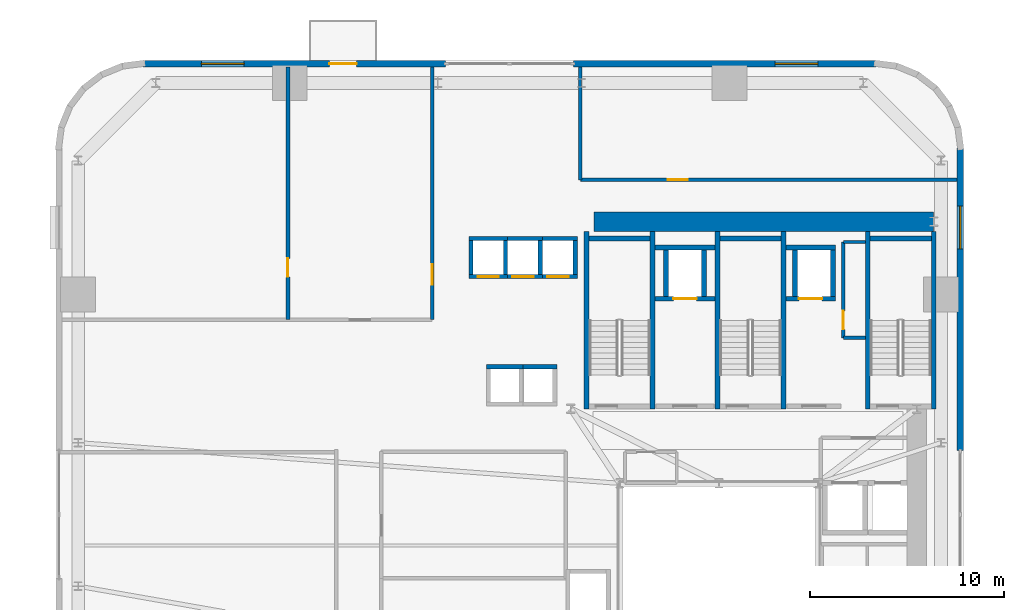
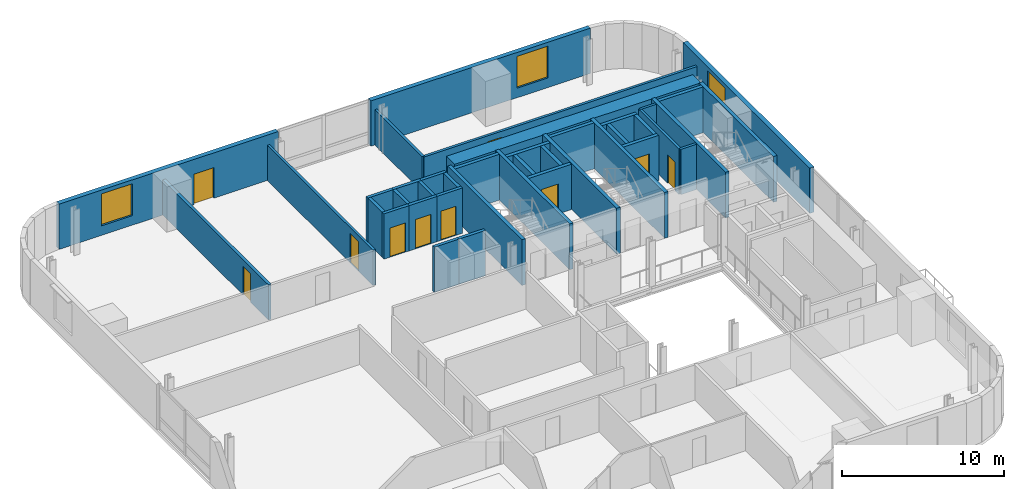
# One storey, part 8 of 13: 40 walls, 10 doors, 3 windows, 13 openings.
"""IFC4 building model written with IfcOpenShell, lengths in metres."""

from ifc_helpers import new_model, si_unit, direction, frame, frame_2d, origin, place, context, subcontext, project, spatial, rectangle, extrude, source, transform, mapped, material, layer, layer_set, type_object, element, fill, save


model = new_model("IFC4")

# Units and contexts
model_context = context("Model", 3, precision=1e-05, world=origin(), true_north=direction((0.0, 1.0)))
body_context = subcontext(model_context, "Body", "Model", "MODEL_VIEW")
ifc_project = project(units=[si_unit("LENGTHUNIT", "METRE"), si_unit("AREAUNIT", "SQUARE_METRE"), si_unit("VOLUMEUNIT", "CUBIC_METRE"), si_unit("PLANEANGLEUNIT", "RADIAN"), si_unit("MASSUNIT", "GRAM", prefix="KILO")], contexts=[model_context])

# Site, building, storey
site_placement = place(None, origin())
site = spatial("IfcSite", under=ifc_project, at=site_placement, CompositionType="ELEMENT")
building_placement = place(site_placement, origin())
building = spatial("IfcBuilding", under=site, at=building_placement, Name="Vardaveli Station Tower", CompositionType="ELEMENT")
storey_placement = place(building_placement, frame((0.0, 0.0, 75.050048828125)))
storey = spatial("IfcBuildingStorey", under=building, at=storey_placement, Name="L19", CompositionType="ELEMENT", Elevation=75.050048828125)

# Wall
ifc_material_1 = material(Name="Concrete C60/75", Category="concrete")
ifc_layer_1 = layer(ifc_material_1, 1.0, Name="Concrete C60/75")
ifc_layer_set_1 = layer_set([ifc_layer_1], Name="Concrete C60/75")
wall_type_1 = type_object("IfcWallType", Name="WAL-CORE-1000", PredefinedType="SHEAR", material=ifc_layer_set_1)
shared_shape_1 = source(origin(), body_context, "Body", "SweptSolid", [
    extrude(rectangle(XDim=17.52001953125, YDim=1.0, at=frame_2d((8.760009765625, 0.0))), origin(), (0.0, 0.0, 1.0), 3.409912109375),
])
wall_1_placement = place(storey_placement, frame((29.85009765625, 40.300048828125, 0.0), z_axis=(0.0, 0.0, 1.0), x_axis=(1.0, 0.0, 0.0)))
element("IfcWall", 1, at=wall_1_placement, inside=storey, type_object=wall_type_1, Name="SW-L19-NORTH", PredefinedType="SHEAR", context=body_context, shape_type="MappedRepresentation", body=[
    mapped(shared_shape_1, transform((0.0, 0.0, 0.0), scale=1.0)),
])

# Wall, opening, window
ifc_material_2 = material(Name="Precast concrete C45/55", Category="concrete")
ifc_layer_2 = layer(ifc_material_2, 0.320068359375, Name="Precast concrete C45/55")
ifc_layer_set_2 = layer_set([ifc_layer_2], Name="Precast concrete C45/55")
wall_type_2 = type_object("IfcWallType", Name="WAL-EXT-STONE-320", PredefinedType="SOLIDWALL", material=ifc_layer_set_2)
shared_shape_2 = source(origin(), body_context, "Body", "SweptSolid", [
    extrude(rectangle(XDim=15.599853515625, YDim=0.320068359375, at=frame_2d((7.7998046875, 0.0))), origin(), (0.0, 0.0, 1.0), 3.409912109375),
])
wall_2_placement = place(storey_placement, frame((44.39990234375, 48.43994140625, 0.0), z_axis=(0.0, 0.0, 1.0), x_axis=(-1.0, 0.0, 0.0)))
wall_2 = element("IfcWall", 2, at=wall_2_placement, inside=storey, type_object=wall_type_2, Name="EW-L19-N1", PredefinedType="SOLIDWALL", context=body_context, shape_type="MappedRepresentation", body=[
    mapped(shared_shape_2, transform((0.0, 0.0, 0.0), scale=1.0)),
])
shared_shape_3 = source(origin(), body_context, "Body", "SweptSolid", [
    extrude(rectangle(XDim=2.199951171875, YDim=2.39990234375, at=frame_2d((1.10009765625, 1.199951171875))), frame((0.0, 0.169921875, 0.0), z_axis=(0.0, -1.0, 0.0), x_axis=(1.0, 0.0, 0.0)), (0.0, 0.0, 1.0), 0.340087890625),
])
opening_1_placement = place(wall_2_placement, frame((3.0048828125, 0.0, 0.719970703125)))
opening_1 = element("IfcOpeningElement", 3, at=opening_1_placement, cuts=wall_2, Name="Opening W-03", PredefinedType="OPENING", context=body_context, shape_type="MappedRepresentation", body=[
    mapped(shared_shape_3, transform((0.0, 0.0, 0.0), scale=1.0)),
])
ifc_material_3 = material(Name="Low-E solar-control glass", Category="glass")
window_type = type_object("IfcWindowType", Name="WIN-LOG-2200x2400", PartitioningType="SINGLE_PANEL", PredefinedType="WINDOW", material=ifc_material_3)
shared_shape_4 = source(origin(), body_context, "Body", "SweptSolid", [
    extrude(rectangle(XDim=2.199951171875, YDim=2.39990234375, at=frame_2d((1.10009765625, 1.199951171875))), frame((0.0, 0.030029296875, 0.0), z_axis=(0.0, -1.0, 0.0), x_axis=(1.0, 0.0, 0.0)), (0.0, 0.0, 1.0), 0.06005859375),
])
window_1_placement = place(opening_1_placement, origin())
window_1 = element("IfcWindow", 4, at=window_1_placement, inside=storey, type_object=window_type, Name="WN-L19-N1", OverallHeight=2.39990234375, OverallWidth=2.199951171875, PartitioningType="SINGLE_PANEL", PredefinedType="WINDOW", context=body_context, shape_type="MappedRepresentation", body=[
    mapped(shared_shape_4, transform((0.0, 0.0, 0.0), scale=1.0)),
])
fill(opening_1, window_1)

# Wall, openings, door, window
wall_3_placement = place(storey_placement, frame((22.199951171875, 48.43994140625, 0.0), z_axis=(0.0, 0.0, 1.0), x_axis=(-1.0, 0.0, 0.0)))
wall_3 = element("IfcWall", 5, at=wall_3_placement, inside=storey, type_object=wall_type_2, Name="EW-L19-N2", PredefinedType="SOLIDWALL", context=body_context, shape_type="MappedRepresentation", body=[
    mapped(shared_shape_2, transform((0.0, 0.0, 0.0), scale=1.0)),
])
shared_shape_5 = source(origin(), body_context, "Body", "SweptSolid", [
    extrude(rectangle(XDim=1.39990234375, YDim=2.300048828125, at=frame_2d((0.699951171875, 1.14990234375))), frame((0.0, 0.169921875, 0.0), z_axis=(0.0, -1.0, 0.0), x_axis=(1.0, 0.0, 0.0)), (0.0, 0.0, 1.0), 0.340087890625),
])
opening_2_placement = place(wall_3_placement, frame((4.589599609375, 0.0, 0.0)))
opening_2 = element("IfcOpeningElement", 6, at=opening_2_placement, cuts=wall_3, Name="Opening D-09", PredefinedType="OPENING", context=body_context, shape_type="MappedRepresentation", body=[
    mapped(shared_shape_5, transform((0.0, 0.0, 0.0), scale=1.0)),
])
opening_3_placement = place(wall_3_placement, frame((10.39501953125, 0.0, 0.719970703125)))
opening_3 = element("IfcOpeningElement", 7, at=opening_3_placement, cuts=wall_3, Name="Opening W-03", PredefinedType="OPENING", context=body_context, shape_type="MappedRepresentation", body=[
    mapped(shared_shape_3, transform((0.0, 0.0, 0.0), scale=1.0)),
])
ifc_material_4 = material(Name="Thermally broken aluminium glass", Category="aluminium")
door_type_1 = type_object("IfcDoorType", Name="DR-LOG-1400x2300", OperationType="DOUBLE_DOOR_SLIDING", PredefinedType="DOOR", material=ifc_material_4)
shared_shape_6 = source(origin(), body_context, "Body", "SweptSolid", [
    extrude(rectangle(XDim=1.39990234375, YDim=2.300048828125, at=frame_2d((0.699951171875, 1.14990234375))), frame((0.0, 0.02490234375, 0.0), z_axis=(0.0, -1.0, 0.0), x_axis=(1.0, 0.0, 0.0)), (0.0, 0.0, 1.0), 0.050048828125),
])
door_1_placement = place(opening_2_placement, frame((1.39990234375, 0.0, 0.0), z_axis=(0.0, 0.0, 1.0), x_axis=(-1.0, 0.0, 0.0)))
door_1 = element("IfcDoor", 8, at=door_1_placement, inside=storey, type_object=door_type_1, Name="DLG-L19-N", OperationType="DOUBLE_DOOR_SLIDING", OverallHeight=2.300048828125, OverallWidth=1.39990234375, PredefinedType="DOOR", context=body_context, shape_type="MappedRepresentation", body=[
    mapped(shared_shape_6, transform((0.0, 0.0, 0.0), scale=1.0)),
])
fill(opening_2, door_1)
window_2_placement = place(opening_3_placement, origin())
window_2 = element("IfcWindow", 9, at=window_2_placement, inside=storey, type_object=window_type, Name="WN-L19-N2", OverallHeight=2.39990234375, OverallWidth=2.199951171875, PartitioningType="SINGLE_PANEL", PredefinedType="WINDOW", context=body_context, shape_type="MappedRepresentation", body=[
    mapped(shared_shape_4, transform((0.0, 0.0, 0.0), scale=1.0)),
])
fill(opening_3, window_2)

# Wall, opening, window
shared_shape_7 = source(origin(), body_context, "Body", "SweptSolid", [
    extrude(rectangle(XDim=15.60009765625, YDim=0.320068359375, at=frame_2d((7.800048828125, 0.0))), origin(), (0.0, 0.0, 1.0), 3.409912109375),
])
wall_4_placement = place(storey_placement, frame((48.739990234375, 28.5, 0.0), z_axis=(0.0, 0.0, 1.0), x_axis=(0.0, 1.0, 0.0)))
wall_4 = element("IfcWall", 10, at=wall_4_placement, inside=storey, type_object=wall_type_2, Name="EW-L19-E2", PredefinedType="SOLIDWALL", context=body_context, shape_type="MappedRepresentation", body=[
    mapped(shared_shape_7, transform((0.0, 0.0, 0.0), scale=1.0)),
])
opening_4_placement = place(wall_4_placement, frame((10.39501953125, 0.0, 0.719970703125)))
opening_4 = element("IfcOpeningElement", 11, at=opening_4_placement, cuts=wall_4, Name="Opening W-03", PredefinedType="OPENING", context=body_context, shape_type="MappedRepresentation", body=[
    mapped(shared_shape_3, transform((0.0, 0.0, 0.0), scale=1.0)),
])
window_3_placement = place(opening_4_placement, origin())
window_3 = element("IfcWindow", 12, at=window_3_placement, inside=storey, type_object=window_type, Name="WN-L19-E2", OverallHeight=2.39990234375, OverallWidth=2.199951171875, PartitioningType="SINGLE_PANEL", PredefinedType="WINDOW", context=body_context, shape_type="MappedRepresentation", body=[
    mapped(shared_shape_4, transform((0.0, 0.0, 0.0), scale=1.0)),
])
fill(opening_4, window_3)

# Walls
ifc_material_5 = material(Name="Concrete C40/50", Category="concrete")
ifc_layer_3 = layer(ifc_material_5, 0.25, Name="Concrete C40/50")
ifc_layer_set_3 = layer_set([ifc_layer_3], Name="Concrete C40/50")
wall_type_3 = type_object("IfcWallType", Name="WAL-SHAFT-250", PredefinedType="SOLIDWALL", material=ifc_layer_set_3)
shared_shape_8 = source(origin(), body_context, "Body", "SweptSolid", [
    extrude(rectangle(XDim=9.150146484375, YDim=0.25, at=frame_2d((4.5751953125, 0.0))), origin(), (0.0, 0.0, 1.0), 3.449951171875),
])
for number, where, z_axis, x_axis, name in (
    (13, (29.47509765625, 30.64990234375, 0.0), (0.0, 0.0, 1.0), (0.0, 1.0, 0.0), "W-L19-ST-1W"),
    (14, (32.875, 30.64990234375, 0.0), (0.0, 0.0, 1.0), (0.0, 1.0, 0.0), "W-L19-ST-1E"),
    (15, (36.22509765625, 30.64990234375, 0.0), (0.0, 0.0, 1.0), (0.0, 1.0, 0.0), "W-L19-ST-2W"),
    (16, (39.625, 30.64990234375, 0.0), (0.0, 0.0, 1.0), (0.0, 1.0, 0.0), "W-L19-ST-2E"),
    (17, (43.97509765625, 30.64990234375, 0.0), (0.0, 0.0, 1.0), (0.0, 1.0, 0.0), "W-L19-ST-3W"),
    (18, (47.375, 30.64990234375, 0.0), (0.0, 0.0, 1.0), (0.0, 1.0, 0.0), "W-L19-ST-3E"),
):
    element("IfcWall", number, at=place(storey_placement, frame(where, z_axis=z_axis, x_axis=x_axis)), inside=storey, type_object=wall_type_3, Name=name, PredefinedType="SOLIDWALL", context=body_context, shape_type="MappedRepresentation", body=[
        mapped(shared_shape_8, transform((0.0, 0.0, 0.0), scale=1.0)),
    ])
shared_shape_9 = source(origin(), body_context, "Body", "SweptSolid", [
    extrude(rectangle(XDim=3.14990234375, YDim=0.25, at=frame_2d((1.574951171875, 0.0))), origin(), (0.0, 0.0, 1.0), 3.449951171875),
])
for number, where, z_axis, x_axis, name in (
    (19, (29.60009765625, 39.425048828125, 0.0), (0.0, 0.0, 1.0), (1.0, 0.0, 0.0), "W-L19-ST-1N"),
    (20, (36.35009765625, 39.425048828125, 0.0), (0.0, 0.0, 1.0), (1.0, 0.0, 0.0), "W-L19-ST-2N"),
    (21, (44.10009765625, 39.425048828125, 0.0), (0.0, 0.0, 1.0), (1.0, 0.0, 0.0), "W-L19-ST-3N"),
):
    element("IfcWall", number, at=place(storey_placement, frame(where, z_axis=z_axis, x_axis=x_axis)), inside=storey, type_object=wall_type_3, Name=name, PredefinedType="SOLIDWALL", context=body_context, shape_type="MappedRepresentation", body=[
        mapped(shared_shape_9, transform((0.0, 0.0, 0.0), scale=1.0)),
    ])
ifc_layer_4 = layer(ifc_material_5, 0.219970703125, Name="Concrete C40/50")
ifc_layer_set_4 = layer_set([ifc_layer_4], Name="Concrete C40/50")
wall_type_4 = type_object("IfcWallType", Name="WAL-FFLOBBY-220", PredefinedType="SOLIDWALL", material=ifc_layer_set_4)
shared_shape_10 = source(origin(), body_context, "Body", "SweptSolid", [
    extrude(rectangle(XDim=1.75, YDim=0.219970703125, at=frame_2d((0.875, 0.0))), origin(), (0.0, 0.0, 1.0), 3.409912109375),
])
for number, where, z_axis, x_axis, name in (
    (22, (23.514892578125, 37.574951171875, 0.0), (0.0, 0.0, 1.0), (0.0, 1.0, 0.0), "SHW-HL1-01-L19-W"),
    (23, (25.284912109375, 37.574951171875, 0.0), (0.0, 0.0, 1.0), (0.0, 1.0, 0.0), "SHW-HL1-01-L19-E"),
    (24, (27.0849609375, 37.574951171875, 0.0), (0.0, 0.0, 1.0), (0.0, 1.0, 0.0), "SHW-HL1-02-L19-E"),
    (25, (28.885009765625, 37.574951171875, 0.0), (0.0, 0.0, 1.0), (0.0, 1.0, 0.0), "SHW-HL1-03-L19-E"),
):
    element("IfcWall", number, at=place(storey_placement, frame(where, z_axis=z_axis, x_axis=x_axis)), inside=storey, type_object=wall_type_4, Name=name, PredefinedType="SOLIDWALL", context=body_context, shape_type="MappedRepresentation", body=[
        mapped(shared_shape_10, transform((0.0, 0.0, 0.0), scale=1.0)),
    ])

# Wall, opening, door
shared_shape_11 = source(origin(), body_context, "Body", "SweptSolid", [
    extrude(rectangle(XDim=1.989990234375, YDim=0.219970703125, at=frame_2d((0.9951171875, 0.0))), origin(), (0.0, 0.0, 1.0), 3.409912109375),
])
wall_5_placement = place(storey_placement, frame((23.405029296875, 37.465087890625, 0.0), z_axis=(0.0, 0.0, 1.0), x_axis=(1.0, 0.0, 0.0)))
wall_5 = element("IfcWall", 26, at=wall_5_placement, inside=storey, type_object=wall_type_4, Name="SHW-HL1-01-L19-S", PredefinedType="SOLIDWALL", context=body_context, shape_type="MappedRepresentation", body=[
    mapped(shared_shape_11, transform((0.0, 0.0, 0.0), scale=1.0)),
])
shared_shape_12 = source(origin(), body_context, "Body", "SweptSolid", [
    extrude(rectangle(XDim=1.10009765625, YDim=2.199951171875, at=frame_2d((0.550048828125, 1.10009765625))), frame((0.0, 0.1201171875, 0.0), z_axis=(0.0, -1.0, 0.0), x_axis=(1.0, 0.0, 0.0)), (0.0, 0.0, 1.0), 0.239990234375),
])
opening_5_placement = place(wall_5_placement, frame((0.445068359375, 0.0, 0.0)))
opening_5 = element("IfcOpeningElement", 27, at=opening_5_placement, cuts=wall_5, Name="Opening LD-01", PredefinedType="OPENING", context=body_context, shape_type="MappedRepresentation", body=[
    mapped(shared_shape_12, transform((0.0, 0.0, 0.0), scale=1.0)),
])
ifc_material_6 = material(Name="Brushed stainless steel", Category="steel")
door_type_2 = type_object("IfcDoorType", Name="DR-LD-1100x2200", OperationType="DOUBLE_DOOR_SLIDING", PredefinedType="DOOR", material=ifc_material_6)
shared_shape_13 = source(origin(), body_context, "Body", "SweptSolid", [
    extrude(rectangle(XDim=1.10009765625, YDim=2.199951171875, at=frame_2d((0.550048828125, 1.10009765625))), frame((0.0, 0.02490234375, 0.0), z_axis=(0.0, -1.0, 0.0), x_axis=(1.0, 0.0, 0.0)), (0.0, 0.0, 1.0), 0.050048828125),
])
door_2_placement = place(opening_5_placement, origin())
door_2 = element("IfcDoor", 28, at=door_2_placement, inside=storey, type_object=door_type_2, Name="LD-HL1-01-L19", OperationType="DOUBLE_DOOR_SLIDING", OverallHeight=2.199951171875, OverallWidth=1.10009765625, PredefinedType="DOOR", context=body_context, shape_type="MappedRepresentation", body=[
    mapped(shared_shape_13, transform((0.0, 0.0, 0.0), scale=1.0)),
])
fill(opening_5, door_2)

# Wall
wall_6_placement = place(storey_placement, frame((23.405029296875, 39.43505859375, 0.0), z_axis=(0.0, 0.0, 1.0), x_axis=(1.0, 0.0, 0.0)))
element("IfcWall", 29, at=wall_6_placement, inside=storey, type_object=wall_type_4, Name="SHW-HL1-01-L19-N", PredefinedType="SOLIDWALL", context=body_context, shape_type="MappedRepresentation", body=[
    mapped(shared_shape_11, transform((0.0, 0.0, 0.0), scale=1.0)),
])

# Wall, opening, door
wall_7_placement = place(storey_placement, frame((25.205078125, 37.465087890625, 0.0), z_axis=(0.0, 0.0, 1.0), x_axis=(1.0, 0.0, 0.0)))
wall_7 = element("IfcWall", 30, at=wall_7_placement, inside=storey, type_object=wall_type_4, Name="SHW-HL1-02-L19-S", PredefinedType="SOLIDWALL", context=body_context, shape_type="MappedRepresentation", body=[
    mapped(shared_shape_11, transform((0.0, 0.0, 0.0), scale=1.0)),
])
opening_6_placement = place(wall_7_placement, frame((0.445068359375, 0.0, 0.0)))
opening_6 = element("IfcOpeningElement", 31, at=opening_6_placement, cuts=wall_7, Name="Opening LD-01", PredefinedType="OPENING", context=body_context, shape_type="MappedRepresentation", body=[
    mapped(shared_shape_12, transform((0.0, 0.0, 0.0), scale=1.0)),
])
door_3_placement = place(opening_6_placement, origin())
door_3 = element("IfcDoor", 32, at=door_3_placement, inside=storey, type_object=door_type_2, Name="LD-HL1-02-L19", OperationType="DOUBLE_DOOR_SLIDING", OverallHeight=2.199951171875, OverallWidth=1.10009765625, PredefinedType="DOOR", context=body_context, shape_type="MappedRepresentation", body=[
    mapped(shared_shape_13, transform((0.0, 0.0, 0.0), scale=1.0)),
])
fill(opening_6, door_3)

# Wall
wall_8_placement = place(storey_placement, frame((25.205078125, 39.43505859375, 0.0), z_axis=(0.0, 0.0, 1.0), x_axis=(1.0, 0.0, 0.0)))
element("IfcWall", 33, at=wall_8_placement, inside=storey, type_object=wall_type_4, Name="SHW-HL1-02-L19-N", PredefinedType="SOLIDWALL", context=body_context, shape_type="MappedRepresentation", body=[
    mapped(shared_shape_11, transform((0.0, 0.0, 0.0), scale=1.0)),
])

# Wall, opening, door
shared_shape_14 = source(origin(), body_context, "Body", "SweptSolid", [
    extrude(rectangle(XDim=1.990234375, YDim=0.219970703125, at=frame_2d((0.9951171875, 0.0))), origin(), (0.0, 0.0, 1.0), 3.409912109375),
])
wall_9_placement = place(storey_placement, frame((27.0048828125, 37.465087890625, 0.0), z_axis=(0.0, 0.0, 1.0), x_axis=(1.0, 0.0, 0.0)))
wall_9 = element("IfcWall", 34, at=wall_9_placement, inside=storey, type_object=wall_type_4, Name="SHW-HL1-03-L19-S", PredefinedType="SOLIDWALL", context=body_context, shape_type="MappedRepresentation", body=[
    mapped(shared_shape_14, transform((0.0, 0.0, 0.0), scale=1.0)),
])
opening_7_placement = place(wall_9_placement, frame((0.445068359375, 0.0, 0.0)))
opening_7 = element("IfcOpeningElement", 35, at=opening_7_placement, cuts=wall_9, Name="Opening LD-01", PredefinedType="OPENING", context=body_context, shape_type="MappedRepresentation", body=[
    mapped(shared_shape_12, transform((0.0, 0.0, 0.0), scale=1.0)),
])
door_4_placement = place(opening_7_placement, origin())
door_4 = element("IfcDoor", 36, at=door_4_placement, inside=storey, type_object=door_type_2, Name="LD-HL1-03-L19", OperationType="DOUBLE_DOOR_SLIDING", OverallHeight=2.199951171875, OverallWidth=1.10009765625, PredefinedType="DOOR", context=body_context, shape_type="MappedRepresentation", body=[
    mapped(shared_shape_13, transform((0.0, 0.0, 0.0), scale=1.0)),
])
fill(opening_7, door_4)

# Wall
wall_10_placement = place(storey_placement, frame((27.0048828125, 39.43505859375, 0.0), z_axis=(0.0, 0.0, 1.0), x_axis=(1.0, 0.0, 0.0)))
element("IfcWall", 37, at=wall_10_placement, inside=storey, type_object=wall_type_4, Name="SHW-HL1-03-L19-N", PredefinedType="SOLIDWALL", context=body_context, shape_type="MappedRepresentation", body=[
    mapped(shared_shape_14, transform((0.0, 0.0, 0.0), scale=1.0)),
])

# Wall, opening, door
shared_shape_15 = source(origin(), body_context, "Body", "SweptSolid", [
    extrude(rectangle(XDim=3.10009765625, YDim=0.25, at=frame_2d((1.550048828125, 0.0))), origin(), (0.0, 0.0, 1.0), 3.409912109375),
])
wall_11_placement = place(storey_placement, frame((33.0, 36.324951171875, 0.0), z_axis=(0.0, 0.0, 1.0), x_axis=(1.0, 0.0, 0.0)))
wall_11 = element("IfcWall", 38, at=wall_11_placement, inside=storey, type_object=wall_type_3, Name="SHW-FFL-01-L19-S", PredefinedType="SOLIDWALL", context=body_context, shape_type="MappedRepresentation", body=[
    mapped(shared_shape_15, transform((0.0, 0.0, 0.0), scale=1.0)),
])
shared_shape_16 = source(origin(), body_context, "Body", "SweptSolid", [
    extrude(rectangle(XDim=1.199951171875, YDim=2.25, at=frame_2d((0.60009765625, 1.125))), frame((0.0, 0.135009765625, 0.0), z_axis=(0.0, -1.0, 0.0), x_axis=(1.0, 0.0, 0.0)), (0.0, 0.0, 1.0), 0.27001953125),
])
opening_8_placement = place(wall_11_placement, frame((0.949951171875, 0.0, 0.0)))
opening_8 = element("IfcOpeningElement", 39, at=opening_8_placement, cuts=wall_11, Name="Opening LD-02", PredefinedType="OPENING", context=body_context, shape_type="MappedRepresentation", body=[
    mapped(shared_shape_16, transform((0.0, 0.0, 0.0), scale=1.0)),
])
door_type_3 = type_object("IfcDoorType", Name="DR-LD-1200x2250", OperationType="DOUBLE_DOOR_SLIDING", PredefinedType="DOOR", material=ifc_material_6)
shared_shape_17 = source(origin(), body_context, "Body", "SweptSolid", [
    extrude(rectangle(XDim=1.199951171875, YDim=2.25, at=frame_2d((0.60009765625, 1.125))), frame((0.0, 0.02490234375, 0.0), z_axis=(0.0, -1.0, 0.0), x_axis=(1.0, 0.0, 0.0)), (0.0, 0.0, 1.0), 0.050048828125),
])
door_5_placement = place(opening_8_placement, origin())
door_5 = element("IfcDoor", 40, at=door_5_placement, inside=storey, type_object=door_type_3, Name="LD-FFL-01-L19", OperationType="DOUBLE_DOOR_SLIDING", OverallHeight=2.25, OverallWidth=1.199951171875, PredefinedType="DOOR", context=body_context, shape_type="MappedRepresentation", body=[
    mapped(shared_shape_17, transform((0.0, 0.0, 0.0), scale=1.0)),
])
fill(opening_8, door_5)

# Walls
wall_12_placement = place(storey_placement, frame((33.0, 38.97509765625, 0.0), z_axis=(0.0, 0.0, 1.0), x_axis=(1.0, 0.0, 0.0)))
element("IfcWall", 41, at=wall_12_placement, inside=storey, type_object=wall_type_3, Name="SHW-FFL-01-L19-N", PredefinedType="SOLIDWALL", context=body_context, shape_type="MappedRepresentation", body=[
    mapped(shared_shape_15, transform((0.0, 0.0, 0.0), scale=1.0)),
])
shared_shape_18 = source(origin(), body_context, "Body", "SweptSolid", [
    extrude(rectangle(XDim=2.400146484375, YDim=0.25, at=frame_2d((1.2001953125, 0.0))), origin(), (0.0, 0.0, 1.0), 3.409912109375),
])
for number, where, z_axis, x_axis, name in (
    (42, (33.574951171875, 36.449951171875, 0.0), (0.0, 0.0, 1.0), (0.0, 1.0, 0.0), "SHW-FFL-01-L19-W"),
    (43, (35.52490234375, 36.449951171875, 0.0), (0.0, 0.0, 1.0), (0.0, 1.0, 0.0), "SHW-FFL-01-L19-E"),
    (44, (40.22509765625, 36.449951171875, 0.0), (0.0, 0.0, 1.0), (0.0, 1.0, 0.0), "SHW-FFL-02-L19-W"),
    (45, (42.175048828125, 36.449951171875, 0.0), (0.0, 0.0, 1.0), (0.0, 1.0, 0.0), "SHW-FFL-02-L19-E"),
):
    element("IfcWall", number, at=place(storey_placement, frame(where, z_axis=z_axis, x_axis=x_axis)), inside=storey, type_object=wall_type_3, Name=name, PredefinedType="SOLIDWALL", context=body_context, shape_type="MappedRepresentation", body=[
        mapped(shared_shape_18, transform((0.0, 0.0, 0.0), scale=1.0)),
    ])

# Wall, opening, door
shared_shape_19 = source(origin(), body_context, "Body", "SweptSolid", [
    extrude(rectangle(XDim=2.550048828125, YDim=0.25, at=frame_2d((1.27490234375, 0.0))), origin(), (0.0, 0.0, 1.0), 3.409912109375),
])
wall_13_placement = place(storey_placement, frame((39.75, 36.324951171875, 0.0), z_axis=(0.0, 0.0, 1.0), x_axis=(1.0, 0.0, 0.0)))
wall_13 = element("IfcWall", 46, at=wall_13_placement, inside=storey, type_object=wall_type_3, Name="SHW-FFL-02-L19-S", PredefinedType="SOLIDWALL", context=body_context, shape_type="MappedRepresentation", body=[
    mapped(shared_shape_19, transform((0.0, 0.0, 0.0), scale=1.0)),
])
opening_9_placement = place(wall_13_placement, frame((0.675048828125, 0.0, 0.0)))
opening_9 = element("IfcOpeningElement", 47, at=opening_9_placement, cuts=wall_13, Name="Opening LD-02", PredefinedType="OPENING", context=body_context, shape_type="MappedRepresentation", body=[
    mapped(shared_shape_16, transform((0.0, 0.0, 0.0), scale=1.0)),
])
door_6_placement = place(opening_9_placement, origin())
door_6 = element("IfcDoor", 48, at=door_6_placement, inside=storey, type_object=door_type_3, Name="LD-FFL-02-L19", OperationType="DOUBLE_DOOR_SLIDING", OverallHeight=2.25, OverallWidth=1.199951171875, PredefinedType="DOOR", context=body_context, shape_type="MappedRepresentation", body=[
    mapped(shared_shape_17, transform((0.0, 0.0, 0.0), scale=1.0)),
])
fill(opening_9, door_6)

# Walls
wall_14_placement = place(storey_placement, frame((39.75, 38.97509765625, 0.0), z_axis=(0.0, 0.0, 1.0), x_axis=(1.0, 0.0, 0.0)))
element("IfcWall", 49, at=wall_14_placement, inside=storey, type_object=wall_type_3, Name="SHW-FFL-02-L19-N", PredefinedType="SOLIDWALL", context=body_context, shape_type="MappedRepresentation", body=[
    mapped(shared_shape_19, transform((0.0, 0.0, 0.0), scale=1.0)),
])
shared_shape_20 = source(origin(), body_context, "Body", "SweptSolid", [
    extrude(rectangle(XDim=1.89013671875, YDim=0.219970703125, at=frame_2d((0.945068359375, 0.0))), origin(), (0.0, 0.0, 1.0), 3.409912109375),
])
for number, where, z_axis, x_axis, name in (
    (50, (24.304931640625, 32.81005859375, 0.0), (0.0, 0.0, 1.0), (1.0, 0.0, 0.0), "SHW-SHU-01-L19-N"),
    (51, (26.054931640625, 32.81005859375, 0.0), (0.0, 0.0, 1.0), (1.0, 0.0, 0.0), "SHW-SHU-02-L19-N"),
):
    element("IfcWall", number, at=place(storey_placement, frame(where, z_axis=z_axis, x_axis=x_axis)), inside=storey, type_object=wall_type_4, Name=name, PredefinedType="SOLIDWALL", context=body_context, shape_type="MappedRepresentation", body=[
        mapped(shared_shape_20, transform((0.0, 0.0, 0.0), scale=1.0)),
    ])

# Wall, opening, door
ifc_material_7 = material(Name="Fire-rated gypsum stud partition")
ifc_layer_5 = layer(ifc_material_7, 0.179931640625, Name="Fire-rated gypsum stud partition")
ifc_layer_set_5 = layer_set([ifc_layer_5], Name="Fire-rated gypsum stud partition")
wall_type_5 = type_object("IfcWallType", Name="WAL-CORR-180", PredefinedType="PARTITIONING", material=ifc_layer_set_5)
shared_shape_21 = source(origin(), body_context, "Body", "SweptSolid", [
    extrude(rectangle(XDim=19.427978515625, YDim=0.179931640625, at=frame_2d((9.7138671875, 0.0))), origin(), (0.0, 0.0, 1.0), 2.65185546875),
])
wall_15_placement = place(storey_placement, frame((29.14990234375, 42.449951171875, 0.0), z_axis=(0.0, 0.0, 1.0), x_axis=(1.0, 0.0, 0.0)))
wall_15 = element("IfcWall", 52, at=wall_15_placement, inside=storey, type_object=wall_type_5, Name="W-L19-NPS", PredefinedType="PARTITIONING", context=body_context, shape_type="MappedRepresentation", body=[
    mapped(shared_shape_21, transform((0.0, 0.0, 0.0), scale=1.0)),
])
shared_shape_22 = source(origin(), body_context, "Body", "SweptSolid", [
    extrude(rectangle(XDim=1.050048828125, YDim=2.199951171875, at=frame_2d((0.52490234375, 1.10009765625))), frame((0.0, 0.10009765625, 0.0), z_axis=(0.0, -1.0, 0.0), x_axis=(1.0, 0.0, 0.0)), (0.0, 0.0, 1.0), 0.199951171875),
])
opening_10_placement = place(wall_15_placement, frame((4.5, 0.0, 0.0)))
opening_10 = element("IfcOpeningElement", 53, at=opening_10_placement, cuts=wall_15, Name="Opening D-05", PredefinedType="OPENING", context=body_context, shape_type="MappedRepresentation", body=[
    mapped(shared_shape_22, transform((0.0, 0.0, 0.0), scale=1.0)),
])
ifc_material_8 = material(Name="Walnut veneer acoustic fire door")
door_type_4 = type_object("IfcDoorType", Name="DR-SUITE-1050x2200", OperationType="NOTDEFINED", PredefinedType="DOOR", material=ifc_material_8)
shared_shape_23 = source(origin(), body_context, "Body", "SweptSolid", [
    extrude(rectangle(XDim=1.050048828125, YDim=2.199951171875, at=frame_2d((0.52490234375, 1.10009765625))), frame((0.0, 0.02490234375, 0.0), z_axis=(0.0, -1.0, 0.0), x_axis=(1.0, 0.0, 0.0)), (0.0, 0.0, 1.0), 0.050048828125),
])
door_7_placement = place(opening_10_placement, origin())
door_7 = element("IfcDoor", 54, at=door_7_placement, inside=storey, type_object=door_type_4, Name="D-L19-NP1", OperationType="SINGLE_SWING_RIGHT", OverallHeight=2.199951171875, OverallWidth=1.050048828125, PredefinedType="DOOR", context=body_context, shape_type="MappedRepresentation", body=[
    mapped(shared_shape_23, transform((0.0, 0.0, 0.0), scale=1.0)),
])
fill(opening_10, door_7)

# Wall
shared_shape_24 = source(origin(), body_context, "Body", "SweptSolid", [
    extrude(rectangle(XDim=5.828125, YDim=0.179931640625, at=frame_2d((2.9140625, 0.0))), origin(), (0.0, 0.0, 1.0), 2.65185546875),
])
wall_16_placement = place(storey_placement, frame((29.14990234375, 42.449951171875, 0.0), z_axis=(0.0, 0.0, 1.0), x_axis=(0.0, 1.0, 0.0)))
element("IfcWall", 55, at=wall_16_placement, inside=storey, type_object=wall_type_5, Name="W-L19-NPW", PredefinedType="PARTITIONING", context=body_context, shape_type="MappedRepresentation", body=[
    mapped(shared_shape_24, transform((0.0, 0.0, 0.0), scale=1.0)),
])

# Wall, opening, door
shared_shape_25 = source(origin(), body_context, "Body", "SweptSolid", [
    extrude(rectangle(XDim=4.949951171875, YDim=0.179931640625, at=frame_2d((2.47509765625, 0.0))), origin(), (0.0, 0.0, 1.0), 3.409912109375),
])
wall_17_placement = place(storey_placement, frame((42.719970703125, 34.300048828125, 0.0), z_axis=(0.0, 0.0, 1.0), x_axis=(0.0, 1.0, 0.0)))
wall_17 = element("IfcWall", 56, at=wall_17_placement, inside=storey, type_object=wall_type_5, Name="W-L19-CBS1-W", PredefinedType="PARTITIONING", context=body_context, shape_type="MappedRepresentation", body=[
    mapped(shared_shape_25, transform((0.0, 0.0, 0.0), scale=1.0)),
])
shared_shape_26 = source(origin(), body_context, "Body", "SweptSolid", [
    extrude(rectangle(XDim=0.949951171875, YDim=2.14990234375, at=frame_2d((0.47509765625, 1.074951171875))), frame((0.0, 0.10009765625, 0.0), z_axis=(0.0, -1.0, 0.0), x_axis=(1.0, 0.0, 0.0)), (0.0, 0.0, 1.0), 0.199951171875),
])
opening_11_placement = place(wall_17_placement, frame((0.449951171875, 0.0, 0.0)))
opening_11 = element("IfcOpeningElement", 57, at=opening_11_placement, cuts=wall_17, Name="Opening D-06", PredefinedType="OPENING", context=body_context, shape_type="MappedRepresentation", body=[
    mapped(shared_shape_26, transform((0.0, 0.0, 0.0), scale=1.0)),
])
ifc_material_9 = material(Name="Oak veneer acoustic fire door")
door_type_5 = type_object("IfcDoorType", Name="DR-GUEST-950x2150", OperationType="NOTDEFINED", PredefinedType="DOOR", material=ifc_material_9)
shared_shape_27 = source(origin(), body_context, "Body", "SweptSolid", [
    extrude(rectangle(XDim=0.949951171875, YDim=2.14990234375, at=frame_2d((0.47509765625, 1.074951171875))), frame((0.0, 0.02490234375, 0.0), z_axis=(0.0, -1.0, 0.0), x_axis=(1.0, 0.0, 0.0)), (0.0, 0.0, 1.0), 0.050048828125),
])
door_8_placement = place(opening_11_placement, origin())
door_8 = element("IfcDoor", 58, at=door_8_placement, inside=storey, type_object=door_type_5, Name="D-L19-HKP", OperationType="SINGLE_SWING_RIGHT", OverallHeight=2.14990234375, OverallWidth=0.949951171875, PredefinedType="DOOR", context=body_context, shape_type="MappedRepresentation", body=[
    mapped(shared_shape_27, transform((0.0, 0.0, 0.0), scale=1.0)),
])
fill(opening_11, door_8)

# Walls
shared_shape_28 = source(origin(), body_context, "Body", "SweptSolid", [
    extrude(rectangle(XDim=1.1279296875, YDim=0.179931640625, at=frame_2d((0.56396484375, 0.0))), origin(), (0.0, 0.0, 1.0), 3.409912109375),
])
for number, where, z_axis, x_axis, name in (
    (59, (42.719970703125, 34.300048828125, 0.0), (0.0, 0.0, 1.0), (1.0, 0.0, 0.0), "W-L19-CBS1-S"),
    (60, (42.719970703125, 39.25, 0.0), (0.0, 0.0, 1.0), (1.0, 0.0, 0.0), "W-L19-CBS1-N"),
):
    element("IfcWall", number, at=place(storey_placement, frame(where, z_axis=z_axis, x_axis=x_axis)), inside=storey, type_object=wall_type_5, Name=name, PredefinedType="PARTITIONING", context=body_context, shape_type="MappedRepresentation", body=[
        mapped(shared_shape_28, transform((0.0, 0.0, 0.0), scale=1.0)),
    ])

# Wall, opening, door
ifc_material_10 = material(Name="Acoustic twin-stud gypsum partition")
ifc_layer_6 = layer(ifc_material_10, 0.199951171875, Name="Acoustic twin-stud gypsum partition")
ifc_layer_set_6 = layer_set([ifc_layer_6], Name="Acoustic twin-stud gypsum partition")
wall_type_6 = type_object("IfcWallType", Name="WAL-PARTY-200", PredefinedType="PARTITIONING", material=ifc_layer_set_6)
shared_shape_29 = source(origin(), body_context, "Body", "SweptSolid", [
    extrude(rectangle(XDim=13.028076171875, YDim=0.199951171875, at=frame_2d((6.51416015625, 0.0))), origin(), (0.0, 0.0, 1.0), 2.65185546875),
])
wall_18_placement = place(storey_placement, frame((14.070068359375, 35.25, 0.0), z_axis=(0.0, 0.0, 1.0), x_axis=(0.0, 1.0, 0.0)))
wall_18 = element("IfcWall", 61, at=wall_18_placement, inside=storey, type_object=wall_type_6, Name="W-L19-PNW1", PredefinedType="PARTITIONING", context=body_context, shape_type="MappedRepresentation", body=[
    mapped(shared_shape_29, transform((0.0, 0.0, 0.0), scale=1.0)),
])
shared_shape_30 = source(origin(), body_context, "Body", "SweptSolid", [
    extrude(rectangle(XDim=0.949951171875, YDim=2.14990234375, at=frame_2d((0.47509765625, 1.074951171875))), frame((0.0, 0.10986328125, 0.0), z_axis=(0.0, -1.0, 0.0), x_axis=(1.0, 0.0, 0.0)), (0.0, 0.0, 1.0), 0.219970703125),
])
opening_12_placement = place(wall_18_placement, frame((2.199951171875, 0.0, 0.0)))
opening_12 = element("IfcOpeningElement", 62, at=opening_12_placement, cuts=wall_18, Name="Opening D-11", PredefinedType="OPENING", context=body_context, shape_type="MappedRepresentation", body=[
    mapped(shared_shape_30, transform((0.0, 0.0, 0.0), scale=1.0)),
])
ifc_material_11 = material(Name="Oak veneer internal suite door")
door_type_6 = type_object("IfcDoorType", Name="DR-INT-950x2150", OperationType="NOTDEFINED", PredefinedType="DOOR", material=ifc_material_11)
door_9_placement = place(opening_12_placement, origin())
door_9 = element("IfcDoor", 63, at=door_9_placement, inside=storey, type_object=door_type_6, Name="D-L19-GNW1", OperationType="SINGLE_SWING_RIGHT", OverallHeight=2.14990234375, OverallWidth=0.949951171875, PredefinedType="DOOR", context=body_context, shape_type="MappedRepresentation", body=[
    mapped(shared_shape_27, transform((0.0, 0.0, 0.0), scale=1.0)),
])
fill(opening_12, door_9)

shared_shape_31 = source(origin(), body_context, "Body", "SweptSolid", [
    extrude(rectangle(XDim=13.028076171875, YDim=0.179931640625, at=frame_2d((6.51416015625, 0.0))), origin(), (0.0, 0.0, 1.0), 2.65185546875),
])
wall_19_placement = place(storey_placement, frame((21.5, 35.25, 0.0), z_axis=(0.0, 0.0, 1.0), x_axis=(0.0, 1.0, 0.0)))
wall_19 = element("IfcWall", 64, at=wall_19_placement, inside=storey, type_object=wall_type_5, Name="W-L19-CNWE", PredefinedType="PARTITIONING", context=body_context, shape_type="MappedRepresentation", body=[
    mapped(shared_shape_31, transform((0.0, 0.0, 0.0), scale=1.0)),
])
opening_13_placement = place(wall_19_placement, frame((1.800048828125, 0.0, 0.0)))
opening_13 = element("IfcOpeningElement", 65, at=opening_13_placement, cuts=wall_19, Name="Opening D-05", PredefinedType="OPENING", context=body_context, shape_type="MappedRepresentation", body=[
    mapped(shared_shape_22, transform((0.0, 0.0, 0.0), scale=1.0)),
])
door_10_placement = place(opening_13_placement, origin())
door_10 = element("IfcDoor", 66, at=door_10_placement, inside=storey, type_object=door_type_4, Name="D-L19-GNWE", OperationType="SINGLE_SWING_LEFT", OverallHeight=2.199951171875, OverallWidth=1.050048828125, PredefinedType="DOOR", context=body_context, shape_type="MappedRepresentation", body=[
    mapped(shared_shape_23, transform((0.0, 0.0, 0.0), scale=1.0)),
])
fill(opening_13, door_10)

save(model, "model.ifc")
